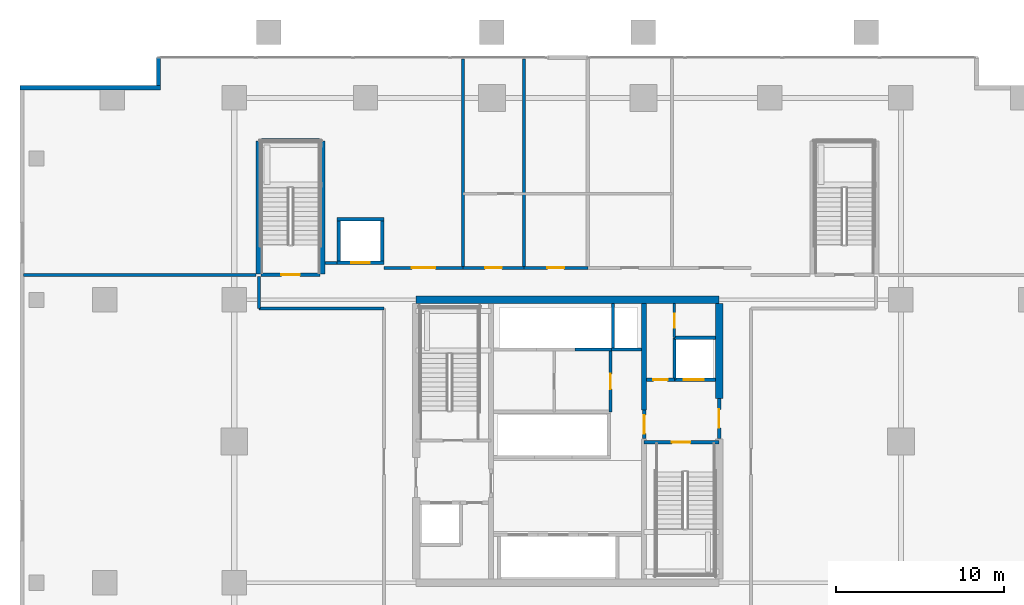
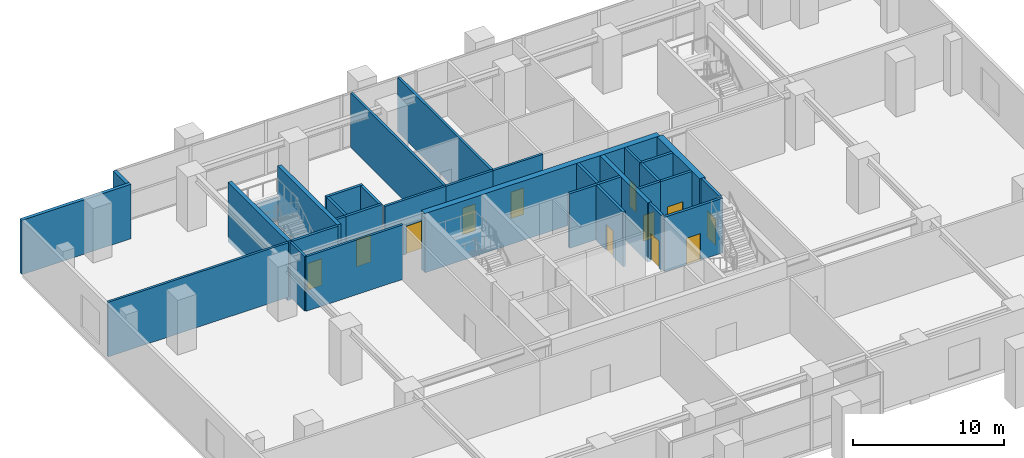
# One storey, part 14 of 20: 34 walls, 12 doors, 12 openings.
"""IFC4 building model written with IfcOpenShell, lengths in metres."""

from ifc_helpers import new_model, si_unit, direction, frame, frame_2d, origin, place, context, subcontext, project, spatial, rectangle, extrude, source, transform, mapped, material, layer, layer_set, type_object, element, fill, save


model = new_model("IFC4")

# Units and contexts
model_context = context("Model", 3, precision=1e-05, world=origin(), true_north=direction((0.0, 1.0)))
body_context = subcontext(model_context, "Body", "Model", "MODEL_VIEW")
ifc_project = project(units=[si_unit("LENGTHUNIT", "METRE"), si_unit("AREAUNIT", "SQUARE_METRE"), si_unit("VOLUMEUNIT", "CUBIC_METRE"), si_unit("PLANEANGLEUNIT", "RADIAN"), si_unit("MASSUNIT", "GRAM", prefix="KILO")], contexts=[model_context])

# Site, building, storey
site_placement = place(None, origin())
site = spatial("IfcSite", under=ifc_project, at=site_placement, CompositionType="ELEMENT")
building_placement = place(site_placement, origin())
building = spatial("IfcBuilding", under=site, at=building_placement, Name="Serunith Strait Residences", CompositionType="ELEMENT")
storey_placement = place(building_placement, frame((0.0, 0.0, 10.5)))
storey = spatial("IfcBuildingStorey", under=building, at=storey_placement, Name="L02", CompositionType="ELEMENT", Elevation=10.5)

# Walls
ifc_material_1 = material(Name="Pale-Silver Aluminium Terracotta-Backed Wall", Category="masonry")
ifc_layer_1 = layer(ifc_material_1, 0.25, Name="Pale-Silver Aluminium Terracotta-Backed Wall")
ifc_layer_set_1 = layer_set([ifc_layer_1], Name="Pale-Silver Aluminium Terracotta-Backed Wall")
wall_type_1 = type_object("IfcWallType", Name="EW-POD-250", PredefinedType="ELEMENTEDWALL", material=ifc_layer_set_1)
wall_1_placement = place(storey_placement, frame((8.10009765625, 48.0, 0.0), z_axis=(0.0, 0.0, 1.0), x_axis=(0.0, -1.0, 0.0)))
element("IfcWall", 1, at=wall_1_placement, inside=storey, type_object=wall_type_1, Name="L02 Podium Envelope Wall 10", PredefinedType="ELEMENTEDWALL", context=body_context, shape_type="SweptSolid", body=[
    extrude(rectangle(XDim=1.675048828125, YDim=0.25, at=frame_2d((0.83740234375, 0.0))), origin(), (0.0, 0.0, 1.0), 4.405029296875),
])
wall_2_placement = place(storey_placement, frame((8.22509765625, 46.199951171875, 0.0), z_axis=(0.0, 0.0, 1.0), x_axis=(-1.0, 0.0, 0.0)))
element("IfcWall", 2, at=wall_2_placement, inside=storey, type_object=wall_type_1, Name="L02 Podium Envelope Wall 11", PredefinedType="ELEMENTEDWALL", context=body_context, shape_type="SweptSolid", body=[
    extrude(rectangle(XDim=8.35009765625, YDim=0.25, at=frame_2d((4.175048828125, 0.0))), origin(), (0.0, 0.0, 1.0), 4.405029296875),
])

# Wall, opening, door
ifc_material_2 = material(Name="Fire-rated masonry service closet wall", Category="masonry")
ifc_layer_2 = layer(ifc_material_2, 0.14990234375, Name="Fire-rated masonry service closet wall")
ifc_layer_set_2 = layer_set([ifc_layer_2], Name="Fire-rated masonry service closet wall")
wall_type_2 = type_object("IfcWallType", Name="IW-BOH-150", PredefinedType="PARTITIONING", material=ifc_layer_set_2)
wall_3_placement = place(storey_placement, frame((38.75, 31.35205078125, 0.0), z_axis=(0.0, 0.0, 1.0), x_axis=(0.0, 1.0, 0.0)))
wall_3 = element("IfcWall", 3, at=wall_3_placement, inside=storey, type_object=wall_type_2, Name="L02 Partition Wall 012", PredefinedType="PARTITIONING", context=body_context, shape_type="SweptSolid", body=[
    extrude(rectangle(XDim=2.02294921875, YDim=0.14990234375, at=frame_2d((1.011474609375, 0.0))), origin(), (0.0, 0.0, 1.0), 4.419921875),
])
opening_1_placement = place(wall_3_placement, frame((0.5859375, 0.0, 0.0)))
opening_1 = element("IfcOpeningElement", 4, at=opening_1_placement, cuts=wall_3, Name="Opening FD-850", PredefinedType="OPENING", context=body_context, shape_type="SweptSolid", body=[
    extrude(rectangle(XDim=0.85009765625, YDim=2.10009765625, at=frame_2d((0.425048828125, 1.050048828125))), frame((0.0, 0.0849609375, 0.0), z_axis=(0.0, -1.0, 0.0), x_axis=(1.0, 0.0, 0.0)), (0.0, 0.0, 1.0), 0.169921875),
])
ifc_material_3 = material(Name="Powder-coated steel service closet door", Category="steel")
door_type_1 = type_object("IfcDoorType", Name="FD-BOH-850", OperationType="NOTDEFINED", PredefinedType="DOOR", material=ifc_material_3)
shared_shape_1 = source(origin(), body_context, "Body", "SweptSolid", [
    extrude(rectangle(XDim=0.85009765625, YDim=2.10009765625, at=frame_2d((0.425048828125, 1.050048828125))), frame((0.0, 0.02490234375, 0.0), z_axis=(0.0, -1.0, 0.0), x_axis=(1.0, 0.0, 0.0)), (0.0, 0.0, 1.0), 0.050048828125),
])
door_1_placement = place(opening_1_placement, origin())
door_1 = element("IfcDoor", 5, at=door_1_placement, inside=storey, type_object=door_type_1, Name="L02 ELV Data Closet Door", OperationType="SINGLE_SWING_LEFT", OverallHeight=2.10009765625, OverallWidth=0.85009765625, PredefinedType="DOOR", context=body_context, shape_type="MappedRepresentation", body=[
    mapped(shared_shape_1, transform((0.0, 0.0, 0.0), scale=1.0)),
])
fill(opening_1, door_1)

# Walls
ifc_material_4 = material(Name="Fire-rated acoustic gypsum partition")
ifc_layer_3 = layer(ifc_material_4, 0.179931640625, Name="Fire-rated acoustic gypsum partition")
ifc_layer_set_3 = layer_set([ifc_layer_3], Name="Fire-rated acoustic gypsum partition")
wall_type_3 = type_object("IfcWallType", Name="IW-CORR-180", PredefinedType="PARTITIONING", material=ifc_layer_set_3)
wall_4_placement = place(storey_placement, frame((0.08203125, 35.080078125, 0.0), z_axis=(0.0, 0.0, 1.0), x_axis=(1.0, 0.0, 0.0)))
element("IfcWall", 6, at=wall_4_placement, inside=storey, type_object=wall_type_3, Name="L02 Partition Wall 017", PredefinedType="PARTITIONING", context=body_context, shape_type="SweptSolid", body=[
    extrude(rectangle(XDim=13.81787109375, YDim=0.179931640625, at=frame_2d((6.908935546875, 0.0))), origin(), (0.0, 0.0, 1.0), 4.419921875),
])
wall_5_placement = place(storey_placement, frame((14.080078125, 33.080078125, 0.0), z_axis=(0.0, 0.0, 1.0), x_axis=(1.0, 0.0, 0.0)))
element("IfcWall", 7, at=wall_5_placement, inside=storey, type_object=wall_type_3, Name="L02 Partition Wall 018", PredefinedType="PARTITIONING", context=body_context, shape_type="SweptSolid", body=[
    extrude(rectangle(XDim=7.419921875, YDim=0.179931640625, at=frame_2d((3.7099609375, 0.0))), origin(), (0.0, 0.0, 1.0), 4.419921875),
])
wall_6_placement = place(storey_placement, frame((18.0, 35.800048828125, 0.0), z_axis=(0.0, 0.0, 1.0), x_axis=(1.0, 0.0, 0.0)))
element("IfcWall", 8, at=wall_6_placement, inside=storey, type_object=wall_type_3, Name="L02 Partition Wall 019", PredefinedType="PARTITIONING", context=body_context, shape_type="SweptSolid", body=[
    extrude(rectangle(XDim=0.697998046875, YDim=0.179931640625, at=frame_2d((0.34912109375, 0.0))), origin(), (0.0, 0.0, 1.0), 4.419921875),
])
wall_7_placement = place(storey_placement, frame((14.080078125, 33.080078125, 0.0), z_axis=(0.0, 0.0, 1.0), x_axis=(0.0, 1.0, 0.0)))
element("IfcWall", 9, at=wall_7_placement, inside=storey, type_object=wall_type_3, Name="L02 Partition Wall 023", PredefinedType="PARTITIONING", context=body_context, shape_type="SweptSolid", body=[
    extrude(rectangle(XDim=1.919921875, YDim=0.179931640625, at=frame_2d((0.9599609375, 0.0))), origin(), (0.0, 0.0, 1.0), 4.419921875),
])
for number, where, z_axis, x_axis, name in (
    (10, (26.199951171875, 35.5, 0.0), (0.0, 0.0, 1.0), (0.0, 1.0, 0.0), "L02 Partition Wall 027"),
    (11, (29.800048828125, 35.5, 0.0), (0.0, 0.0, 1.0), (0.0, 1.0, 0.0), "L02 Partition Wall 028"),
):
    element("IfcWall", number, at=place(storey_placement, frame(where, z_axis=z_axis, x_axis=x_axis)), inside=storey, type_object=wall_type_3, Name=name, PredefinedType="PARTITIONING", context=body_context, shape_type="SweptSolid", body=[
        extrude(rectangle(XDim=12.41796875, YDim=0.179931640625, at=frame_2d((6.208984375, 0.0))), origin(), (0.0, 0.0, 1.0), 4.419921875),
    ])

# Wall, opening, door
wall_8_placement = place(storey_placement, frame((21.5, 35.5, 0.0), z_axis=(0.0, 0.0, 1.0), x_axis=(1.0, 0.0, 0.0)))
wall_8 = element("IfcWall", 12, at=wall_8_placement, inside=storey, type_object=wall_type_3, Name="L02 Partition Wall 034", PredefinedType="PARTITIONING", context=body_context, shape_type="SweptSolid", body=[
    extrude(rectangle(XDim=4.699951171875, YDim=0.179931640625, at=frame_2d((2.35009765625, 0.0))), origin(), (0.0, 0.0, 1.0), 4.419921875),
])
opening_2_placement = place(wall_8_placement, frame((1.64990234375, 0.0, 0.0)))
opening_2 = element("IfcOpeningElement", 13, at=opening_2_placement, cuts=wall_8, Name="Opening D-POD1400", PredefinedType="OPENING", context=body_context, shape_type="SweptSolid", body=[
    extrude(rectangle(XDim=1.39990234375, YDim=2.25, at=frame_2d((0.699951171875, 1.125))), frame((0.0, 0.10009765625, 0.0), z_axis=(0.0, -1.0, 0.0), x_axis=(1.0, 0.0, 0.0)), (0.0, 0.0, 1.0), 0.199951171875),
])
ifc_material_5 = material(Name="Pale-champagne aluminium glazed suite door", Category="aluminium")
door_type_2 = type_object("IfcDoorType", Name="ID-POD-1400", OperationType="DOUBLE_DOOR_SINGLE_SWING", PredefinedType="DOOR", material=ifc_material_5)
shared_shape_2 = source(origin(), body_context, "Body", "SweptSolid", [
    extrude(rectangle(XDim=1.39990234375, YDim=2.25, at=frame_2d((0.699951171875, 1.125))), frame((0.0, 0.02490234375, 0.0), z_axis=(0.0, -1.0, 0.0), x_axis=(1.0, 0.0, 0.0)), (0.0, 0.0, 1.0), 0.050048828125),
])
door_2_placement = place(opening_2_placement, origin())
door_2 = element("IfcDoor", 14, at=door_2_placement, inside=storey, type_object=door_type_2, Name="L02 North-West Room Door", OperationType="DOUBLE_DOOR_SINGLE_SWING", OverallHeight=2.25, OverallWidth=1.39990234375, PredefinedType="DOOR", context=body_context, shape_type="MappedRepresentation", body=[
    mapped(shared_shape_2, transform((0.0, 0.0, 0.0), scale=1.0)),
])
fill(opening_2, door_2)

wall_9_placement = place(storey_placement, frame((26.201904296875, 35.5, 0.0), z_axis=(0.0, 0.0, 1.0), x_axis=(1.0, 0.0, 0.0)))
wall_9 = element("IfcWall", 15, at=wall_9_placement, inside=storey, type_object=wall_type_3, Name="L02 Partition Wall 035", PredefinedType="PARTITIONING", context=body_context, shape_type="SweptSolid", body=[
    extrude(rectangle(XDim=3.59814453125, YDim=0.179931640625, at=frame_2d((1.799072265625, 0.0))), origin(), (0.0, 0.0, 1.0), 4.419921875),
])
opening_3_placement = place(wall_9_placement, frame((1.299072265625, 0.0, 0.0)))
opening_3 = element("IfcOpeningElement", 16, at=opening_3_placement, cuts=wall_9, Name="Opening D-APT1000", PredefinedType="OPENING", context=body_context, shape_type="SweptSolid", body=[
    extrude(rectangle(XDim=1.0, YDim=2.14990234375, at=frame_2d((0.5, 1.074951171875))), frame((0.0, 0.10009765625, 0.0), z_axis=(0.0, -1.0, 0.0), x_axis=(1.0, 0.0, 0.0)), (0.0, 0.0, 1.0), 0.199951171875),
])
ifc_material_6 = material(Name="Solid timber engineered fire door", Category="wood")
door_type_3 = type_object("IfcDoorType", Name="ID-APT-1000", OperationType="NOTDEFINED", PredefinedType="DOOR", material=ifc_material_6)
shared_shape_3 = source(origin(), body_context, "Body", "SweptSolid", [
    extrude(rectangle(XDim=1.0, YDim=2.14990234375, at=frame_2d((0.5, 1.074951171875))), frame((0.0, 0.02490234375, 0.0), z_axis=(0.0, -1.0, 0.0), x_axis=(1.0, 0.0, 0.0)), (0.0, 0.0, 1.0), 0.050048828125),
])
door_3_placement = place(opening_3_placement, origin())
door_3 = element("IfcDoor", 17, at=door_3_placement, inside=storey, type_object=door_type_3, Name="L02 Accessible WC Door", OperationType="SINGLE_SWING_RIGHT", OverallHeight=2.14990234375, OverallWidth=1.0, PredefinedType="DOOR", context=body_context, shape_type="MappedRepresentation", body=[
    mapped(shared_shape_3, transform((0.0, 0.0, 0.0), scale=1.0)),
])
fill(opening_3, door_3)

wall_10_placement = place(storey_placement, frame((29.802001953125, 35.5, 0.0), z_axis=(0.0, 0.0, 1.0), x_axis=(1.0, 0.0, 0.0)))
wall_10 = element("IfcWall", 18, at=wall_10_placement, inside=storey, type_object=wall_type_3, Name="L02 Partition Wall 036", PredefinedType="PARTITIONING", context=body_context, shape_type="SweptSolid", body=[
    extrude(rectangle(XDim=3.798095703125, YDim=0.179931640625, at=frame_2d((1.89892578125, 0.0))), origin(), (0.0, 0.0, 1.0), 4.419921875),
])
opening_4_placement = place(wall_10_placement, frame((1.39892578125, 0.0, 0.0)))
opening_4 = element("IfcOpeningElement", 19, at=opening_4_placement, cuts=wall_10, Name="Opening D-APT1000", PredefinedType="OPENING", context=body_context, shape_type="SweptSolid", body=[
    extrude(rectangle(XDim=1.0, YDim=2.14990234375, at=frame_2d((0.5, 1.074951171875))), frame((0.0, 0.10009765625, 0.0), z_axis=(0.0, -1.0, 0.0), x_axis=(1.0, 0.0, 0.0)), (0.0, 0.0, 1.0), 0.199951171875),
])
door_4_placement = place(opening_4_placement, origin())
door_4 = element("IfcDoor", 20, at=door_4_placement, inside=storey, type_object=door_type_3, Name="L02 Public Male WC Door", OperationType="SINGLE_SWING_LEFT", OverallHeight=2.14990234375, OverallWidth=1.0, PredefinedType="DOOR", context=body_context, shape_type="MappedRepresentation", body=[
    mapped(shared_shape_3, transform((0.0, 0.0, 0.0), scale=1.0)),
])
fill(opening_4, door_4)

ifc_material_7 = material(Name="Autoclaved aerated concrete blockwork", Category="masonry")
ifc_layer_4 = layer(ifc_material_7, 0.199951171875, Name="Autoclaved aerated concrete blockwork")
ifc_layer_set_4 = layer_set([ifc_layer_4], Name="Autoclaved aerated concrete blockwork")
wall_type_4 = type_object("IfcWallType", Name="IW-SHAFT-200", PredefinedType="STANDARD", material=ifc_layer_set_4)
wall_11_placement = place(storey_placement, frame((36.949951171875, 25.14990234375, 0.0), z_axis=(0.0, 0.0, 1.0), x_axis=(1.0, 0.0, 0.0)))
wall_11 = element("IfcWall", 21, at=wall_11_placement, inside=storey, type_object=wall_type_4, Name="L02 ST-2 North Shaft Wall", PredefinedType="STANDARD", context=body_context, shape_type="SweptSolid", body=[
    extrude(rectangle(XDim=4.449951171875, YDim=0.199951171875, at=frame_2d((2.22509765625, 0.0))), origin(), (0.0, 0.0, 1.0), 4.419921875),
])
opening_5_placement = place(wall_11_placement, frame((1.64990234375, 0.0, 0.0)))
opening_5 = element("IfcOpeningElement", 22, at=opening_5_placement, cuts=wall_11, Name="Opening FD-1100", PredefinedType="OPENING", context=body_context, shape_type="SweptSolid", body=[
    extrude(rectangle(XDim=1.10009765625, YDim=2.14990234375, at=frame_2d((0.550048828125, 1.074951171875))), frame((0.0, 0.10986328125, 0.0), z_axis=(0.0, -1.0, 0.0), x_axis=(1.0, 0.0, 0.0)), (0.0, 0.0, 1.0), 0.219970703125),
])
ifc_material_8 = material(Name="Galvanised steel fire door leaf", Category="steel")
door_type_4 = type_object("IfcDoorType", Name="FD-STAIR-1100", OperationType="NOTDEFINED", PredefinedType="DOOR", material=ifc_material_8)
shared_shape_4 = source(origin(), body_context, "Body", "SweptSolid", [
    extrude(rectangle(XDim=1.10009765625, YDim=2.14990234375, at=frame_2d((0.550048828125, 1.074951171875))), frame((0.0, 0.02490234375, 0.0), z_axis=(0.0, -1.0, 0.0), x_axis=(1.0, 0.0, 0.0)), (0.0, 0.0, 1.0), 0.050048828125),
])
door_5_placement = place(opening_5_placement, origin())
door_5 = element("IfcDoor", 23, at=door_5_placement, inside=storey, type_object=door_type_4, Name="L02 ST-2 Escape Stair Door", OperationType="SINGLE_SWING_LEFT", OverallHeight=2.14990234375, OverallWidth=1.10009765625, PredefinedType="DOOR", context=body_context, shape_type="MappedRepresentation", body=[
    mapped(shared_shape_4, transform((0.0, 0.0, 0.0), scale=1.0)),
])
fill(opening_5, door_5)

wall_12_placement = place(storey_placement, frame((14.199951171875, 35.10009765625, 0.0), z_axis=(0.0, 0.0, 1.0), x_axis=(1.0, 0.0, 0.0)))
wall_12 = element("IfcWall", 24, at=wall_12_placement, inside=storey, type_object=wall_type_4, Name="L02 ST-3 South Shaft Wall", PredefinedType="STANDARD", context=body_context, shape_type="SweptSolid", body=[
    extrude(rectangle(XDim=3.5, YDim=0.199951171875, at=frame_2d((1.75, 0.0))), origin(), (0.0, 0.0, 1.0), 4.419921875),
])
opening_6_placement = place(wall_12_placement, frame((1.199951171875, 0.0, 0.0)))
opening_6 = element("IfcOpeningElement", 25, at=opening_6_placement, cuts=wall_12, Name="Opening FD-1100", PredefinedType="OPENING", context=body_context, shape_type="SweptSolid", body=[
    extrude(rectangle(XDim=1.10009765625, YDim=2.14990234375, at=frame_2d((0.550048828125, 1.074951171875))), frame((0.0, 0.10986328125, 0.0), z_axis=(0.0, -1.0, 0.0), x_axis=(1.0, 0.0, 0.0)), (0.0, 0.0, 1.0), 0.219970703125),
])
door_6_placement = place(opening_6_placement, origin())
door_6 = element("IfcDoor", 26, at=door_6_placement, inside=storey, type_object=door_type_4, Name="L02 ST-3 Escape Stair Door", OperationType="SINGLE_SWING_RIGHT", OverallHeight=2.14990234375, OverallWidth=1.10009765625, PredefinedType="DOOR", context=body_context, shape_type="MappedRepresentation", body=[
    mapped(shared_shape_4, transform((0.0, 0.0, 0.0), scale=1.0)),
])
fill(opening_6, door_6)

# Wall
wall_13_placement = place(storey_placement, frame((14.199951171875, 43.10009765625, 0.0), z_axis=(0.0, 0.0, 1.0), x_axis=(1.0, 0.0, 0.0)))
element("IfcWall", 27, at=wall_13_placement, inside=storey, type_object=wall_type_4, Name="L02 ST-3 North Shaft Wall", PredefinedType="STANDARD", context=body_context, shape_type="SweptSolid", body=[
    extrude(rectangle(XDim=3.5, YDim=0.199951171875, at=frame_2d((1.75, 0.0))), origin(), (0.0, 0.0, 1.0), 1.885009765625),
])

# Wall, opening, door
wall_14_placement = place(storey_placement, frame((38.75, 28.85009765625, 0.0), z_axis=(0.0, 0.0, 1.0), x_axis=(1.0, 0.0, 0.0)))
wall_14 = element("IfcWall", 28, at=wall_14_placement, inside=storey, type_object=wall_type_4, Name="L02 FL-2 South Shaft Wall", PredefinedType="STANDARD", context=body_context, shape_type="SweptSolid", body=[
    extrude(rectangle(XDim=2.425048828125, YDim=0.199951171875, at=frame_2d((1.21240234375, 0.0))), origin(), (0.0, 0.0, 1.0), 4.419921875),
])
opening_7_placement = place(wall_14_placement, frame((0.550048828125, 0.0, 0.0)))
opening_7 = element("IfcOpeningElement", 29, at=opening_7_placement, cuts=wall_14, Name="Opening LD-FF1200", PredefinedType="OPENING", context=body_context, shape_type="SweptSolid", body=[
    extrude(rectangle(XDim=1.199951171875, YDim=2.199951171875, at=frame_2d((0.60009765625, 1.10009765625))), frame((0.0, 0.10986328125, 0.0), z_axis=(0.0, -1.0, 0.0), x_axis=(1.0, 0.0, 0.0)), (0.0, 0.0, 1.0), 0.219970703125),
])
ifc_material_9 = material(Name="Brushed stainless steel landing door", Category="steel")
door_type_5 = type_object("IfcDoorType", Name="LD-FF-1200", OperationType="DOUBLE_DOOR_SLIDING", PredefinedType="DOOR", material=ifc_material_9)
shared_shape_5 = source(origin(), body_context, "Body", "SweptSolid", [
    extrude(rectangle(XDim=1.199951171875, YDim=2.199951171875, at=frame_2d((0.60009765625, 1.10009765625))), frame((0.0, 0.02490234375, 0.0), z_axis=(0.0, -1.0, 0.0), x_axis=(1.0, 0.0, 0.0)), (0.0, 0.0, 1.0), 0.050048828125),
])
door_7_placement = place(opening_7_placement, origin())
door_7 = element("IfcDoor", 30, at=door_7_placement, inside=storey, type_object=door_type_5, Name="L02 FL-2 Landing Door", OperationType="DOUBLE_DOOR_SLIDING", OverallHeight=2.199951171875, OverallWidth=1.199951171875, PredefinedType="DOOR", context=body_context, shape_type="MappedRepresentation", body=[
    mapped(shared_shape_5, transform((0.0, 0.0, 0.0), scale=1.0)),
])
fill(opening_7, door_7)

# Walls
wall_15_placement = place(storey_placement, frame((32.85009765625, 30.64990234375, 0.0), z_axis=(0.0, 0.0, 1.0), x_axis=(1.0, 0.0, 0.0)))
element("IfcWall", 31, at=wall_15_placement, inside=storey, type_object=wall_type_4, Name="L02 PL-9 South Shaft Wall", PredefinedType="STANDARD", context=body_context, shape_type="SweptSolid", body=[
    extrude(rectangle(XDim=2.14990234375, YDim=0.199951171875, at=frame_2d((1.074951171875, 0.0))), origin(), (0.0, 0.0, 1.0), 4.419921875),
])
wall_16_placement = place(storey_placement, frame((35.0, 30.64990234375, 0.0), z_axis=(0.0, 0.0, 1.0), x_axis=(1.0, 0.0, 0.0)))
element("IfcWall", 32, at=wall_16_placement, inside=storey, type_object=wall_type_4, Name="L02 SL-1 South Shaft Wall", PredefinedType="STANDARD", context=body_context, shape_type="SweptSolid", body=[
    extrude(rectangle(XDim=1.800048828125, YDim=0.199951171875, at=frame_2d((0.89990234375, 0.0))), origin(), (0.0, 0.0, 1.0), 4.419921875),
])
wall_17_placement = place(storey_placement, frame((35.10009765625, 30.75, 0.0), z_axis=(0.0, 0.0, 1.0), x_axis=(0.0, 1.0, 0.0)))
element("IfcWall", 33, at=wall_17_placement, inside=storey, type_object=wall_type_4, Name="L02 SL-1 West Shaft Wall", PredefinedType="STANDARD", context=body_context, shape_type="SweptSolid", body=[
    extrude(rectangle(XDim=2.625, YDim=0.199951171875, at=frame_2d((1.3125, 0.0))), origin(), (0.0, 0.0, 1.0), 4.419921875),
])

# Wall, opening, door
wall_18_placement = place(storey_placement, frame((18.699951171875, 35.800048828125, 0.0), z_axis=(0.0, 0.0, 1.0), x_axis=(1.0, 0.0, 0.0)))
wall_18 = element("IfcWall", 34, at=wall_18_placement, inside=storey, type_object=wall_type_4, Name="L02 SV-1 South Shaft Wall", PredefinedType="STANDARD", context=body_context, shape_type="SweptSolid", body=[
    extrude(rectangle(XDim=2.800048828125, YDim=0.199951171875, at=frame_2d((1.39990234375, 0.0))), origin(), (0.0, 0.0, 1.0), 4.419921875),
])
opening_8_placement = place(wall_18_placement, frame((0.85009765625, 0.0, 0.0)))
opening_8 = element("IfcOpeningElement", 35, at=opening_8_placement, cuts=wall_18, Name="Opening LD-1100", PredefinedType="OPENING", context=body_context, shape_type="SweptSolid", body=[
    extrude(rectangle(XDim=1.10009765625, YDim=2.199951171875, at=frame_2d((0.550048828125, 1.10009765625))), frame((0.0, 0.10986328125, 0.0), z_axis=(0.0, -1.0, 0.0), x_axis=(1.0, 0.0, 0.0)), (0.0, 0.0, 1.0), 0.219970703125),
])
ifc_material_10 = material(Name="Pale-champagne stainless landing door")
door_type_6 = type_object("IfcDoorType", Name="LD-LIFT-1100", OperationType="DOUBLE_DOOR_SLIDING", PredefinedType="DOOR", material=ifc_material_10)
shared_shape_6 = source(origin(), body_context, "Body", "SweptSolid", [
    extrude(rectangle(XDim=1.10009765625, YDim=2.199951171875, at=frame_2d((0.550048828125, 1.10009765625))), frame((0.0, 0.02490234375, 0.0), z_axis=(0.0, -1.0, 0.0), x_axis=(1.0, 0.0, 0.0)), (0.0, 0.0, 1.0), 0.050048828125),
])
door_8_placement = place(opening_8_placement, origin())
door_8 = element("IfcDoor", 36, at=door_8_placement, inside=storey, type_object=door_type_6, Name="L02 SV-1 Landing Door", OperationType="DOUBLE_DOOR_SLIDING", OverallHeight=2.199951171875, OverallWidth=1.10009765625, PredefinedType="DOOR", context=body_context, shape_type="MappedRepresentation", body=[
    mapped(shared_shape_6, transform((0.0, 0.0, 0.0), scale=1.0)),
])
fill(opening_8, door_8)

# Walls
for number, where, z_axis, x_axis, name in (
    (37, (18.800048828125, 35.89990234375, 0.0), (0.0, 0.0, 1.0), (0.0, 1.0, 0.0), "L02 SV-1 West Shaft Wall"),
    (38, (21.39990234375, 35.89990234375, 0.0), (0.0, 0.0, 1.0), (0.0, 1.0, 0.0), "L02 SV-1 East Shaft Wall"),
):
    element("IfcWall", number, at=place(storey_placement, frame(where, z_axis=z_axis, x_axis=x_axis)), inside=storey, type_object=wall_type_4, Name=name, PredefinedType="STANDARD", context=body_context, shape_type="SweptSolid", body=[
        extrude(rectangle(XDim=2.400146484375, YDim=0.199951171875, at=frame_2d((1.2001953125, 0.0))), origin(), (0.0, 0.0, 1.0), 4.419921875),
    ])
wall_19_placement = place(storey_placement, frame((18.699951171875, 38.39990234375, 0.0), z_axis=(0.0, 0.0, 1.0), x_axis=(1.0, 0.0, 0.0)))
element("IfcWall", 39, at=wall_19_placement, inside=storey, type_object=wall_type_4, Name="L02 SV-1 North Shaft Wall", PredefinedType="STANDARD", context=body_context, shape_type="SweptSolid", body=[
    extrude(rectangle(XDim=2.800048828125, YDim=0.199951171875, at=frame_2d((1.39990234375, 0.0))), origin(), (0.0, 0.0, 1.0), 4.419921875),
])
wall_20_placement = place(storey_placement, frame((38.75, 28.85009765625, 0.0), z_axis=(0.0, 0.0, 1.0), x_axis=(0.0, 1.0, 0.0)))
element("IfcWall", 40, at=wall_20_placement, inside=storey, type_object=wall_type_4, Name="L02 Partition Wall 004", PredefinedType="STANDARD", context=body_context, shape_type="SweptSolid", body=[
    extrude(rectangle(XDim=2.5, YDim=0.199951171875, at=frame_2d((1.25, 0.0))), origin(), (0.0, 0.0, 1.0), 4.419921875),
])
wall_21_placement = place(storey_placement, frame((38.75, 31.35009765625, 0.0), z_axis=(0.0, 0.0, 1.0), x_axis=(1.0, 0.0, 0.0)))
element("IfcWall", 41, at=wall_21_placement, inside=storey, type_object=wall_type_4, Name="L02 Partition Wall 005", PredefinedType="STANDARD", context=body_context, shape_type="SweptSolid", body=[
    extrude(rectangle(XDim=2.425048828125, YDim=0.199951171875, at=frame_2d((1.21240234375, 0.0))), origin(), (0.0, 0.0, 1.0), 4.419921875),
])

# Wall, opening, door
wall_22_placement = place(storey_placement, frame((37.10009765625, 28.85009765625, 0.0), z_axis=(0.0, 0.0, 1.0), x_axis=(1.0, 0.0, 0.0)))
wall_22 = element("IfcWall", 42, at=wall_22_placement, inside=storey, type_object=wall_type_4, Name="L02 Partition Wall 006", PredefinedType="STANDARD", context=body_context, shape_type="SweptSolid", body=[
    extrude(rectangle(XDim=1.64794921875, YDim=0.199951171875, at=frame_2d((0.823974609375, 0.0))), origin(), (0.0, 0.0, 1.0), 4.419921875),
])
opening_9_placement = place(wall_22_placement, frame((0.39892578125, 0.0, 0.0)))
opening_9 = element("IfcOpeningElement", 43, at=opening_9_placement, cuts=wall_22, Name="Opening FD-850", PredefinedType="OPENING", context=body_context, shape_type="SweptSolid", body=[
    extrude(rectangle(XDim=0.85009765625, YDim=2.10009765625, at=frame_2d((0.425048828125, 1.050048828125))), frame((0.0, 0.10986328125, 0.0), z_axis=(0.0, -1.0, 0.0), x_axis=(1.0, 0.0, 0.0)), (0.0, 0.0, 1.0), 0.219970703125),
])
door_9_placement = place(opening_9_placement, origin())
door_9 = element("IfcDoor", 44, at=door_9_placement, inside=storey, type_object=door_type_1, Name="L02 North-East Core Service Door", OperationType="SINGLE_SWING_RIGHT", OverallHeight=2.10009765625, OverallWidth=0.85009765625, PredefinedType="DOOR", context=body_context, shape_type="MappedRepresentation", body=[
    mapped(shared_shape_1, transform((0.0, 0.0, 0.0), scale=1.0)),
])
fill(opening_9, door_9)

wall_23_placement = place(storey_placement, frame((41.39990234375, 25.35205078125, 0.0), z_axis=(0.0, 0.0, 1.0), x_axis=(0.0, 1.0, 0.0)))
wall_23 = element("IfcWall", 45, at=wall_23_placement, inside=storey, type_object=wall_type_4, Name="L02 Partition Wall 008", PredefinedType="STANDARD", context=body_context, shape_type="SweptSolid", body=[
    extrude(rectangle(XDim=2.39599609375, YDim=0.199951171875, at=frame_2d((1.197998046875, 0.0))), origin(), (0.0, 0.0, 1.0), 4.419921875),
])
opening_10_placement = place(wall_23_placement, frame((0.64794921875, 0.0, 0.0)))
opening_10 = element("IfcOpeningElement", 46, at=opening_10_placement, cuts=wall_23, Name="Opening FD-FFL", PredefinedType="OPENING", context=body_context, shape_type="SweptSolid", body=[
    extrude(rectangle(XDim=1.10009765625, YDim=2.14990234375, at=frame_2d((0.550048828125, 1.074951171875))), frame((0.0, 0.10986328125, 0.0), z_axis=(0.0, -1.0, 0.0), x_axis=(1.0, 0.0, 0.0)), (0.0, 0.0, 1.0), 0.219970703125),
])
ifc_material_11 = material(Name="Glazed steel smoke-lobby fire door", Category="steel")
door_type_7 = type_object("IfcDoorType", Name="FD-FFL-1100", OperationType="NOTDEFINED", PredefinedType="DOOR", material=ifc_material_11)
door_10_placement = place(opening_10_placement, origin())
door_10 = element("IfcDoor", 47, at=door_10_placement, inside=storey, type_object=door_type_7, Name="L02 FFL-2 Corridor Fire Door", OperationType="SINGLE_SWING_RIGHT", OverallHeight=2.14990234375, OverallWidth=1.10009765625, PredefinedType="DOOR", context=body_context, shape_type="MappedRepresentation", body=[
    mapped(shared_shape_4, transform((0.0, 0.0, 0.0), scale=1.0)),
])
fill(opening_10, door_10)

wall_24_placement = place(storey_placement, frame((36.949951171875, 25.35205078125, 0.0), z_axis=(0.0, 0.0, 1.0), x_axis=(0.0, 1.0, 0.0)))
wall_24 = element("IfcWall", 48, at=wall_24_placement, inside=storey, type_object=wall_type_4, Name="L02 Partition Wall 010", PredefinedType="STANDARD", context=body_context, shape_type="SweptSolid", body=[
    extrude(rectangle(XDim=1.696044921875, YDim=0.199951171875, at=frame_2d((0.84814453125, 0.0))), origin(), (0.0, 0.0, 1.0), 4.419921875),
])
opening_11_placement = place(wall_24_placement, frame((0.298095703125, 0.0, 0.0)))
opening_11 = element("IfcOpeningElement", 49, at=opening_11_placement, cuts=wall_24, Name="Opening FD-FFL", PredefinedType="OPENING", context=body_context, shape_type="SweptSolid", body=[
    extrude(rectangle(XDim=1.10009765625, YDim=2.14990234375, at=frame_2d((0.550048828125, 1.074951171875))), frame((0.0, 0.10986328125, 0.0), z_axis=(0.0, -1.0, 0.0), x_axis=(1.0, 0.0, 0.0)), (0.0, 0.0, 1.0), 0.219970703125),
])
door_11_placement = place(opening_11_placement, origin())
door_11 = element("IfcDoor", 50, at=door_11_placement, inside=storey, type_object=door_type_7, Name="L02 FFL-2 Lift Lobby Door", OperationType="SINGLE_SWING_RIGHT", OverallHeight=2.14990234375, OverallWidth=1.10009765625, PredefinedType="DOOR", context=body_context, shape_type="MappedRepresentation", body=[
    mapped(shared_shape_4, transform((0.0, 0.0, 0.0), scale=1.0)),
])
fill(opening_11, door_11)

wall_25_placement = place(storey_placement, frame((34.949951171875, 26.949951171875, 0.0), z_axis=(0.0, 0.0, 1.0), x_axis=(0.0, 1.0, 0.0)))
wall_25 = element("IfcWall", 51, at=wall_25_placement, inside=storey, type_object=wall_type_4, Name="L02 Partition Wall 013", PredefinedType="STANDARD", context=body_context, shape_type="SweptSolid", body=[
    extrude(rectangle(XDim=3.60009765625, YDim=0.199951171875, at=frame_2d((1.800048828125, 0.0))), origin(), (0.0, 0.0, 1.0), 4.419921875),
])
opening_12_placement = place(wall_25_placement, frame((1.35009765625, 0.0, 0.0)))
opening_12 = element("IfcOpeningElement", 52, at=opening_12_placement, cuts=wall_25, Name="Opening FD-900", PredefinedType="OPENING", context=body_context, shape_type="SweptSolid", body=[
    extrude(rectangle(XDim=0.89990234375, YDim=2.10009765625, at=frame_2d((0.449951171875, 1.050048828125))), frame((0.0, 0.10986328125, 0.0), z_axis=(0.0, -1.0, 0.0), x_axis=(1.0, 0.0, 0.0)), (0.0, 0.0, 1.0), 0.219970703125),
])
ifc_material_12 = material(Name="Powder-coated steel riser door", Category="steel")
door_type_8 = type_object("IfcDoorType", Name="FD-BOH-900", OperationType="NOTDEFINED", PredefinedType="DOOR", material=ifc_material_12)
shared_shape_7 = source(origin(), body_context, "Body", "SweptSolid", [
    extrude(rectangle(XDim=0.89990234375, YDim=2.10009765625, at=frame_2d((0.449951171875, 1.050048828125))), frame((0.0, 0.02490234375, 0.0), z_axis=(0.0, -1.0, 0.0), x_axis=(1.0, 0.0, 0.0)), (0.0, 0.0, 1.0), 0.050048828125),
])
door_12_placement = place(opening_12_placement, origin())
door_12 = element("IfcDoor", 53, at=door_12_placement, inside=storey, type_object=door_type_8, Name="L02 Central Comms Door", OperationType="SINGLE_SWING_RIGHT", OverallHeight=2.10009765625, OverallWidth=0.89990234375, PredefinedType="DOOR", context=body_context, shape_type="MappedRepresentation", body=[
    mapped(shared_shape_7, transform((0.0, 0.0, 0.0), scale=1.0)),
])
fill(opening_12, door_12)

# Walls
ifc_material_13 = material(Name="Concrete C60/75", Category="concrete")
ifc_layer_5 = layer(ifc_material_13, 0.300048828125, Name="Concrete C60/75")
ifc_layer_set_5 = layer_set([ifc_layer_5], Name="Concrete C60/75")
wall_type_5 = type_object("IfcWallType", Name="SW-300-C60", PredefinedType="SHEAR", material=ifc_layer_set_5)
for number, where, z_axis, x_axis, name in (
    (54, (14.050048828125, 35.14990234375, -0.3798828125), (0.0, 0.0, 1.0), (0.0, 1.0, 0.0), "L02 ST-3 West Structural Shaft Wall"),
    (55, (17.85009765625, 35.14990234375, -0.3798828125), (0.0, 0.0, 1.0), (0.0, 1.0, 0.0), "L02 ST-3 East Structural Shaft Wall"),
):
    element("IfcWall", number, at=place(storey_placement, frame(where, z_axis=z_axis, x_axis=x_axis)), inside=storey, type_object=wall_type_5, Name=name, PredefinedType="SHEAR", context=body_context, shape_type="SweptSolid", body=[
        extrude(rectangle(XDim=7.900146484375, YDim=0.300048828125, at=frame_2d((3.9501953125, 0.0))), origin(), (0.0, 0.0, 1.0), 4.7978515625),
    ])
ifc_material_14 = material(Name="Concrete C80/95", Category="concrete")
ifc_layer_6 = layer(ifc_material_14, 0.300048828125, Name="Concrete C80/95")
ifc_layer_set_6 = layer_set([ifc_layer_6], Name="Concrete C80/95")
wall_type_6 = type_object("IfcWallType", Name="SW-300-C80", PredefinedType="SHEAR", material=ifc_layer_set_6)
wall_26_placement = place(storey_placement, frame((36.949951171875, 27.050048828125, -0.3798828125), z_axis=(0.0, 0.0, 1.0), x_axis=(0.0, 1.0, 0.0)))
element("IfcWall", 56, at=wall_26_placement, inside=storey, type_object=wall_type_6, Name="L02 Core Internal East Web North Pier", PredefinedType="SHEAR", context=body_context, shape_type="SweptSolid", body=[
    extrude(rectangle(XDim=6.324951171875, YDim=0.300048828125, at=frame_2d((3.16259765625, 0.0))), origin(), (0.0, 0.0, 1.0), 4.7978515625),
])
ifc_layer_7 = layer(ifc_material_14, 0.449951171875, Name="Concrete C80/95")
ifc_layer_set_7 = layer_set([ifc_layer_7], Name="Concrete C80/95")
wall_type_7 = type_object("IfcWallType", Name="SW-450-C80", PredefinedType="SHEAR", material=ifc_layer_set_7)
wall_27_placement = place(storey_placement, frame((41.39990234375, 33.60009765625, -0.3798828125), z_axis=(0.0, 0.0, 1.0), x_axis=(-1.0, 0.0, 0.0)))
element("IfcWall", 57, at=wall_27_placement, inside=storey, type_object=wall_type_7, Name="L02 Core North Shear Wall", PredefinedType="SHEAR", context=body_context, shape_type="SweptSolid", body=[
    extrude(rectangle(XDim=18.0, YDim=0.449951171875, at=frame_2d((9.0, 0.0))), origin(), (0.0, 0.0, 1.0), 4.7978515625),
])
wall_28_placement = place(storey_placement, frame((41.39990234375, 27.75, -0.3798828125), z_axis=(0.0, 0.0, 1.0), x_axis=(0.0, 1.0, 0.0)))
element("IfcWall", 58, at=wall_28_placement, inside=storey, type_object=wall_type_7, Name="L02 Core East Shear Wall North Pier", PredefinedType="SHEAR", context=body_context, shape_type="SweptSolid", body=[
    extrude(rectangle(XDim=5.625, YDim=0.449951171875, at=frame_2d((2.8125, 0.0))), origin(), (0.0, 0.0, 1.0), 4.7978515625),
])

save(model, "model.ifc")
